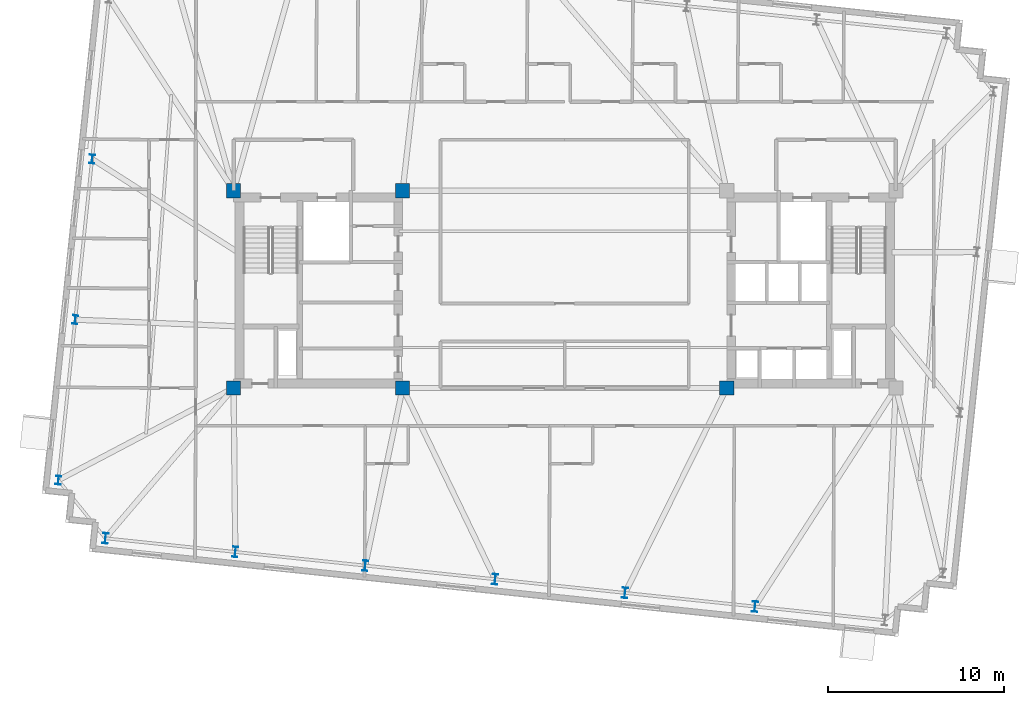
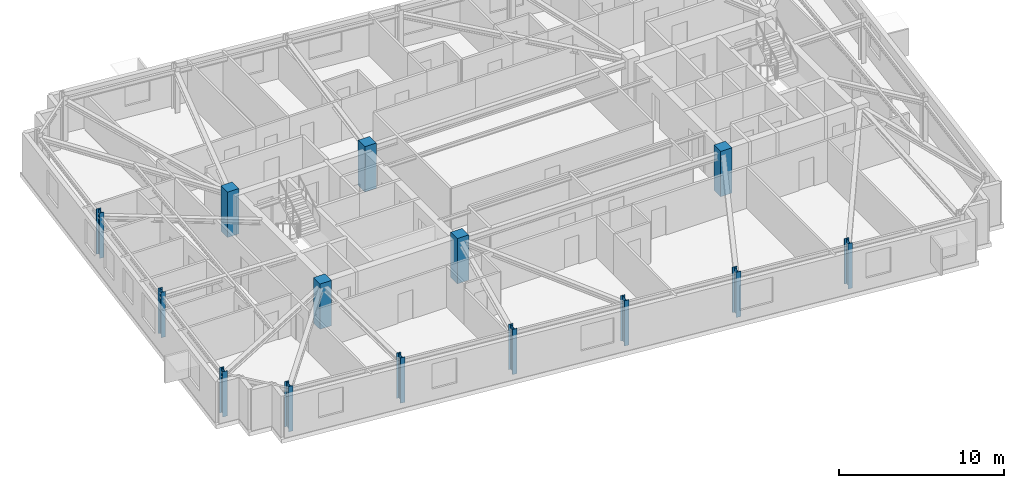
# One storey, part 1 of 13: 14 columns.
"""IFC4 building model written with IfcOpenShell, lengths in metres."""

from ifc_helpers import new_model, si_unit, direction, frame, origin, origin_2d, place, context, subcontext, project, spatial, rectangle, i_section, extrude, material, material_profile, profile_set, type_object, element, save


model = new_model("IFC4")

# Units and contexts
model_context = context("Model", 3, precision=1e-05, world=origin(), true_north=direction((0.0, 1.0)))
body_context = subcontext(model_context, "Body", "Model", "MODEL_VIEW")
ifc_project = project(units=[si_unit("LENGTHUNIT", "METRE"), si_unit("AREAUNIT", "SQUARE_METRE"), si_unit("VOLUMEUNIT", "CUBIC_METRE"), si_unit("PLANEANGLEUNIT", "RADIAN"), si_unit("MASSUNIT", "GRAM", prefix="KILO")], contexts=[model_context])

# Site, building, storey
site_placement = place(None, origin())
site = spatial("IfcSite", under=ifc_project, at=site_placement, CompositionType="ELEMENT")
building_placement = place(site_placement, origin())
building = spatial("IfcBuilding", under=site, at=building_placement, Name="Qobustan Lattice House", CompositionType="ELEMENT")
storey_placement = place(building_placement, frame((0.0, 0.0, 186.35009765625)))
storey = spatial("IfcBuildingStorey", under=building, at=storey_placement, Name="L52", CompositionType="ELEMENT", Elevation=186.35009765625)

# Columns
ifc_material_1 = material(Name="Concrete C50/60", Category="concrete")
ifc_material_profile_1 = material_profile(ifc_material_1, rectangle(XDim=0.800048828125, YDim=0.800048828125, at=origin_2d()), Name="RC800x800")
ifc_profile_set_1 = profile_set([ifc_material_profile_1], Name="Concrete C50/60")
column_type_1 = type_object("IfcColumnType", Name="COL-RC-800", PredefinedType="COLUMN", material=ifc_profile_set_1)
for number, where, z_axis, x_axis, name in (
    (1, (-18.800048828125, -5.60009765625, 0.0), (0.0, 0.0, 1.0), (1.0, 0.0, 0.0), "L52 core mega-column CW-SW"),
    (2, (-18.800048828125, 5.60009765625, 0.0), (0.0, 0.0, 1.0), (1.0, 0.0, 0.0), "L52 core mega-column CW-NW"),
    (3, (-9.199951171875, -5.60009765625, 0.0), (0.0, 0.0, 1.0), (1.0, 0.0, 0.0), "L52 core mega-column CW-SE"),
    (4, (-9.199951171875, 5.60009765625, 0.0), (0.0, 0.0, 1.0), (1.0, 0.0, 0.0), "L52 core mega-column CW-NE"),
    (5, (9.199951171875, -5.60009765625, 0.0), (0.0, 0.0, 1.0), (1.0, 0.0, 0.0), "L52 core mega-column CE-SW"),
):
    element("IfcColumn", number, at=place(storey_placement, frame(where, z_axis=z_axis, x_axis=x_axis)), inside=storey, type_object=column_type_1, Name=name, PredefinedType="COLUMN", context=body_context, shape_type="SweptSolid", body=[
        extrude(rectangle(XDim=0.800048828125, YDim=0.800048828125, at=origin_2d()), origin(), (0.0, 0.0, 1.0), 3.349853515625),
    ])
ifc_material_2 = material(Name="Steel S355", Category="steel")
ifc_material_profile_2 = material_profile(ifc_material_2, i_section(OverallWidth=0.300048828125, OverallDepth=0.5, WebThickness=0.014404296875, FlangeThickness=0.028076171875, FilletRadius=0.027099609375, at=origin_2d()), Name="HEB500")
ifc_profile_set_2 = profile_set([ifc_material_profile_2], Name="Steel S355")
column_type_2 = type_object("IfcColumnType", Name="COL-ST-HEB500", PredefinedType="COLUMN", material=ifc_profile_set_2)
for number, where, z_axis, x_axis, name in (
    (6, (-26.83251953125, 7.397705078125, 0.0), (0.0, 0.0, 1.0), (0.994521895368, -0.104528463268, 0.0), "L52 B4 perimeter column W2"),
    (7, (-27.790771484375, -1.718994140625, 0.0), (0.0, 0.0, 1.0), (0.994521895368, -0.104528463268, 0.0), "L52 B4 perimeter column W3"),
    (8, (-28.748779296875, -10.835205078125, 0.0), (0.0, 0.0, 1.0), (0.994521895368, -0.104528463268, 0.0), "L52 B4 perimeter column W4"),
):
    element("IfcColumn", number, at=place(storey_placement, frame(where, z_axis=z_axis, x_axis=x_axis)), inside=storey, type_object=column_type_2, Name=name, PredefinedType="COLUMN", context=body_context, shape_type="SweptSolid", body=[
        extrude(i_section(OverallWidth=0.300048828125, OverallDepth=0.5, WebThickness=0.014404296875, FlangeThickness=0.028076171875, FilletRadius=0.027099609375, at=origin_2d()), origin(), (0.0, 0.0, 1.0), 3.349853515625),
    ])
ifc_material_3 = material(Name="Steel S355", Category="steel")
ifc_material_profile_3 = material_profile(ifc_material_3, i_section(OverallWidth=0.300048828125, OverallDepth=0.60009765625, WebThickness=0.015380859375, FlangeThickness=0.030029296875, FilletRadius=0.027099609375, at=origin_2d()), Name="HEB600")
ifc_profile_set_3 = profile_set([ifc_material_profile_3], Name="Steel S355")
column_type_3 = type_object("IfcColumnType", Name="COL-ST-HEB600", PredefinedType="COLUMN", material=ifc_profile_set_3)
for number, where, z_axis, x_axis, name in (
    (9, (-26.0791015625, -14.132568359375, 0.0), (0.0, 0.0, 1.0), (0.994521895368, -0.104528463268, 0.0), "L52 B4 perimeter column S1"),
    (10, (-18.702880859375, -14.90771484375, 0.0), (0.0, 0.0, 1.0), (0.994521895368, -0.104528463268, 0.0), "L52 B4 perimeter column S2"),
    (11, (-11.326904296875, -15.68310546875, 0.0), (0.0, 0.0, 1.0), (0.994521895368, -0.104528463268, 0.0), "L52 B4 perimeter column S3"),
    (12, (-3.950927734375, -16.458251953125, 0.0), (0.0, 0.0, 1.0), (0.994521895368, -0.104528463268, 0.0), "L52 B4 perimeter column S4"),
    (13, (3.42529296875, -17.2333984375, 0.0), (0.0, 0.0, 1.0), (0.994521895368, -0.104528463268, 0.0), "L52 B4 perimeter column S5"),
    (14, (10.80126953125, -18.0087890625, 0.0), (0.0, 0.0, 1.0), (0.994521895368, -0.104528463268, 0.0), "L52 B4 perimeter column S6"),
):
    element("IfcColumn", number, at=place(storey_placement, frame(where, z_axis=z_axis, x_axis=x_axis)), inside=storey, type_object=column_type_3, Name=name, PredefinedType="COLUMN", context=body_context, shape_type="SweptSolid", body=[
        extrude(i_section(OverallWidth=0.300048828125, OverallDepth=0.60009765625, WebThickness=0.015380859375, FlangeThickness=0.030029296875, FilletRadius=0.027099609375, at=origin_2d()), origin(), (0.0, 0.0, 1.0), 3.349853515625),
    ])

save(model, "model.ifc")
